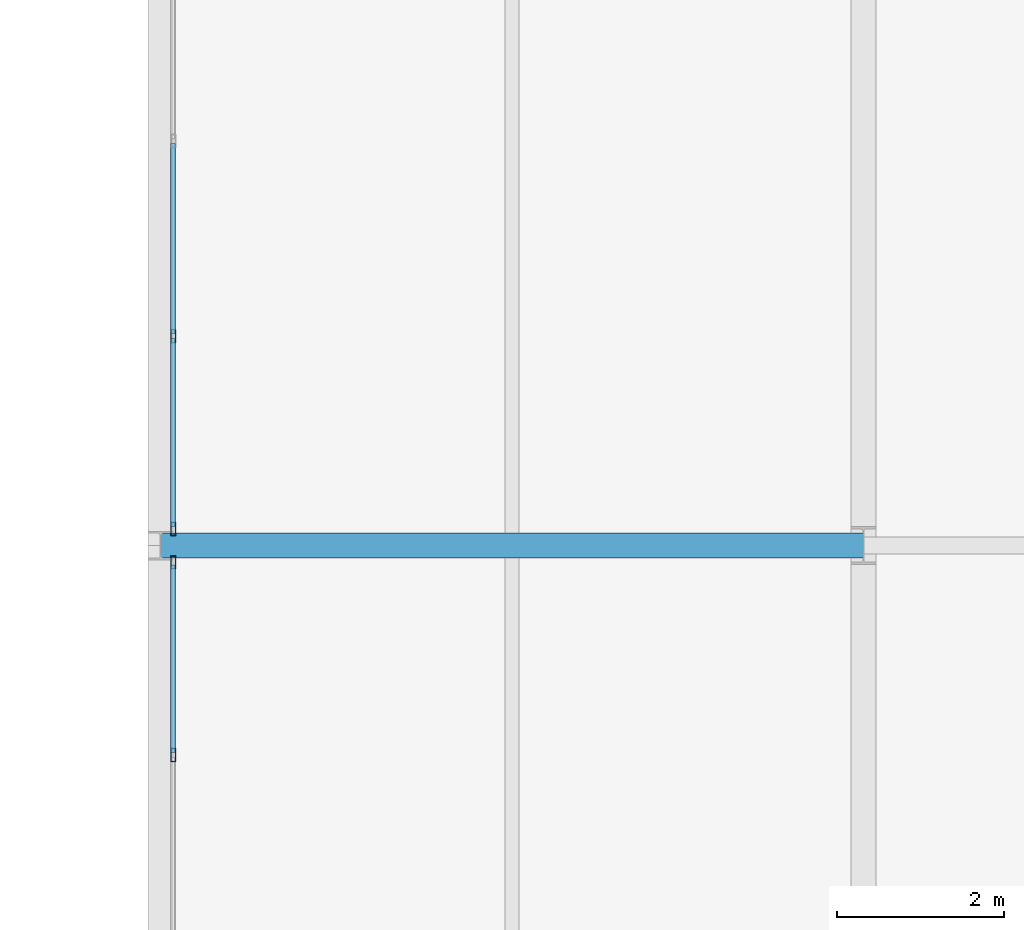
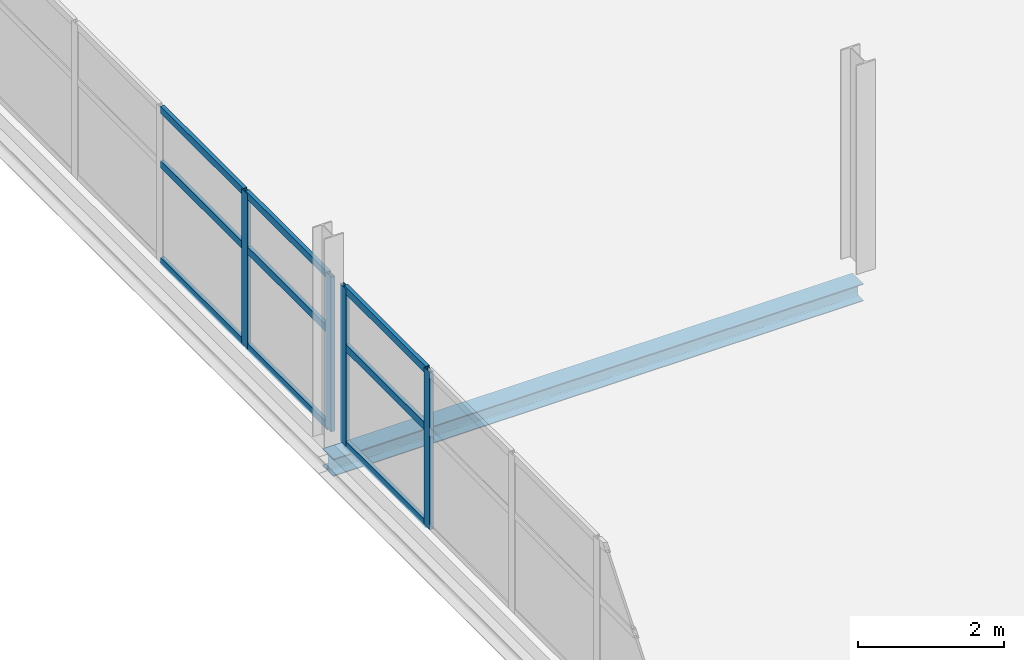
# One storey, part 29 of 103: 13 members, 1 beam, 2 elements without a shape of their own.
"""IFC4 building model written with IfcOpenShell, lengths in metres."""

from ifc_helpers import new_model, si_unit, direction, frame, origin, origin_2d, place, context, subcontext, project, spatial, hollow_rectangle, i_section, extrude, material, material_profile, profile_set, type_object, element, aggregate, save


model = new_model("IFC4")

# Units and contexts
model_context = context("Model", 3, precision=1e-05, world=origin(), true_north=direction((0.0, 1.0)))
body_context = subcontext(model_context, "Body", "Model", "MODEL_VIEW")
ifc_project = project(units=[si_unit("LENGTHUNIT", "METRE"), si_unit("AREAUNIT", "SQUARE_METRE"), si_unit("VOLUMEUNIT", "CUBIC_METRE"), si_unit("PLANEANGLEUNIT", "RADIAN"), si_unit("MASSUNIT", "GRAM", prefix="KILO")], contexts=[model_context])

# Site, building, storey
site_placement = place(None, origin())
site = spatial("IfcSite", under=ifc_project, at=site_placement, CompositionType="ELEMENT")
building_placement = place(site_placement, origin())
building = spatial("IfcBuilding", under=site, at=building_placement, Name="Veltarok Museum of Natural Sciences", CompositionType="ELEMENT")
storey_placement = place(building_placement, frame((0.0, 0.0, 21.89990234375)))
storey = spatial("IfcBuildingStorey", under=building, at=storey_placement, Name="L04", CompositionType="ELEMENT", Elevation=21.89990234375)

# Curtain wall, members
ifc_material_1 = material(Name="Low-iron triple insulated glass", Category="glass")
curtain_wall_type_1 = type_object("IfcCurtainWallType", Name="Curtain Wall System CW-V2W-L04-0-1166x264 (CW-V2W L04 1166x264cm)", PredefinedType="NOTDEFINED", material=ifc_material_1)
curtain_wall_1_placement = place(storey_placement, origin())
curtain_wall_1 = element("IfcCurtainWall", 1, at=curtain_wall_1_placement, inside=storey, type_object=curtain_wall_type_1, Name="Curtain Wall CW-V2W-L04-0-1166x264 CW-0148", PredefinedType="NOTDEFINED")
ifc_material_2 = material(Name="Thermally broken anodised aluminium", Category="aluminium")
ifc_material_profile_1 = material_profile(ifc_material_2, hollow_rectangle(XDim=0.06005859375, YDim=0.1201171875, WallThickness=0.0048828125, at=origin_2d()), Name="CW TRANSOM 60x120x5")
ifc_profile_set_1 = profile_set([ifc_material_profile_1], Name="Thermally broken anodised aluminium")
member_type_1 = type_object("IfcMemberType", Name="Curtain Wall Horizontal Transom 60x120x5", PredefinedType="USERDEFINED", material=ifc_profile_set_1)
member_1_placement = place(storey_placement, frame((40.14990234375, 45.528076171875, 0.028076171875), z_axis=(0.0, 1.0, 0.0), x_axis=(-1.0, 0.0, 0.0)))
member_1 = element("IfcMember", 2, at=member_1_placement, type_object=member_type_1, Name="CW-V2W-L04-0-1166x264 transom 5.1", ObjectType="TRANSOM", PredefinedType="USERDEFINED", context=body_context, shape_type="SweptSolid", body=[
    extrude(hollow_rectangle(XDim=0.06005859375, YDim=0.1201171875, WallThickness=0.0048828125, at=origin_2d()), origin(), (0.0, 0.0, 1.0), 2.241943359375),
])
member_2_placement = place(storey_placement, frame((40.14990234375, 45.528076171875, 1.648193359375), z_axis=(0.0, 1.0, 0.0), x_axis=(-1.0, 0.0, 0.0)))
member_2 = element("IfcMember", 3, at=member_2_placement, type_object=member_type_1, Name="CW-V2W-L04-0-1166x264 transom 5.2", ObjectType="TRANSOM", PredefinedType="USERDEFINED", context=body_context, shape_type="SweptSolid", body=[
    extrude(hollow_rectangle(XDim=0.06005859375, YDim=0.1201171875, WallThickness=0.0048828125, at=origin_2d()), origin(), (0.0, 0.0, 1.0), 2.241943359375),
])
member_3_placement = place(storey_placement, frame((40.14990234375, 45.528076171875, 2.610107421875), z_axis=(0.0, 1.0, 0.0), x_axis=(-1.0, 0.0, 0.0)))
member_3 = element("IfcMember", 4, at=member_3_placement, type_object=member_type_1, Name="CW-V2W-L04-0-1166x264 transom 5.3", ObjectType="TRANSOM", PredefinedType="USERDEFINED", context=body_context, shape_type="SweptSolid", body=[
    extrude(hollow_rectangle(XDim=0.06005859375, YDim=0.1201171875, WallThickness=0.0048828125, at=origin_2d()), origin(), (0.0, 0.0, 1.0), 2.241943359375),
])

curtain_wall_type_2 = type_object("IfcCurtainWallType", Name="Curtain Wall System CW-V2W-L04-1-1166x259 (CW-V2W L04 1166x259cm)", PredefinedType="NOTDEFINED", material=ifc_material_1)
curtain_wall_2_placement = place(storey_placement, origin())
curtain_wall_2 = element("IfcCurtainWall", 5, at=curtain_wall_2_placement, inside=storey, type_object=curtain_wall_type_2, Name="Curtain Wall CW-V2W-L04-1-1166x259 CW-0149", PredefinedType="NOTDEFINED")
member_4_placement = place(storey_placement, frame((40.14990234375, 48.22998046875, 0.028076171875), z_axis=(0.0, 1.0, 0.0), x_axis=(-1.0, 0.0, 0.0)))
member_4 = element("IfcMember", 6, at=member_4_placement, type_object=member_type_1, Name="CW-V2W-L04-1-1166x259 transom 1.1", ObjectType="TRANSOM", PredefinedType="USERDEFINED", context=body_context, shape_type="SweptSolid", body=[
    extrude(hollow_rectangle(XDim=0.06005859375, YDim=0.1201171875, WallThickness=0.0048828125, at=origin_2d()), origin(), (0.0, 0.0, 1.0), 2.241943359375),
])
member_5_placement = place(storey_placement, frame((40.14990234375, 48.22998046875, 1.648193359375), z_axis=(0.0, 1.0, 0.0), x_axis=(-1.0, 0.0, 0.0)))
member_5 = element("IfcMember", 7, at=member_5_placement, type_object=member_type_1, Name="CW-V2W-L04-1-1166x259 transom 1.2", ObjectType="TRANSOM", PredefinedType="USERDEFINED", context=body_context, shape_type="SweptSolid", body=[
    extrude(hollow_rectangle(XDim=0.06005859375, YDim=0.1201171875, WallThickness=0.0048828125, at=origin_2d()), origin(), (0.0, 0.0, 1.0), 2.241943359375),
])
member_6_placement = place(storey_placement, frame((40.14990234375, 48.22998046875, 2.56005859375), z_axis=(0.0, 1.0, 0.0), x_axis=(-1.0, 0.0, 0.0)))
member_6 = element("IfcMember", 8, at=member_6_placement, type_object=member_type_1, Name="CW-V2W-L04-1-1166x259 transom 1.3", ObjectType="TRANSOM", PredefinedType="USERDEFINED", context=body_context, shape_type="SweptSolid", body=[
    extrude(hollow_rectangle(XDim=0.06005859375, YDim=0.1201171875, WallThickness=0.0048828125, at=origin_2d()), origin(), (0.0, 0.0, 1.0), 2.241943359375),
])
member_7_placement = place(storey_placement, frame((40.14990234375, 50.531982421875, 0.028076171875), z_axis=(0.0, 1.0, 0.0), x_axis=(-1.0, 0.0, 0.0)))
member_7 = element("IfcMember", 9, at=member_7_placement, type_object=member_type_1, Name="CW-V2W-L04-1-1166x259 transom 2.1", ObjectType="TRANSOM", PredefinedType="USERDEFINED", context=body_context, shape_type="SweptSolid", body=[
    extrude(hollow_rectangle(XDim=0.06005859375, YDim=0.1201171875, WallThickness=0.0048828125, at=origin_2d()), origin(), (0.0, 0.0, 1.0), 2.27197265625),
])
member_8_placement = place(storey_placement, frame((40.14990234375, 50.531982421875, 1.648193359375), z_axis=(0.0, 1.0, 0.0), x_axis=(-1.0, 0.0, 0.0)))
member_8 = element("IfcMember", 10, at=member_8_placement, type_object=member_type_1, Name="CW-V2W-L04-1-1166x259 transom 2.2", ObjectType="TRANSOM", PredefinedType="USERDEFINED", context=body_context, shape_type="SweptSolid", body=[
    extrude(hollow_rectangle(XDim=0.06005859375, YDim=0.1201171875, WallThickness=0.0048828125, at=origin_2d()), origin(), (0.0, 0.0, 1.0), 2.27197265625),
])
member_9_placement = place(storey_placement, frame((40.14990234375, 50.531982421875, 2.56005859375), z_axis=(0.0, 1.0, 0.0), x_axis=(-1.0, 0.0, 0.0)))
member_9 = element("IfcMember", 11, at=member_9_placement, type_object=member_type_1, Name="CW-V2W-L04-1-1166x259 transom 2.3", ObjectType="TRANSOM", PredefinedType="USERDEFINED", context=body_context, shape_type="SweptSolid", body=[
    extrude(hollow_rectangle(XDim=0.06005859375, YDim=0.1201171875, WallThickness=0.0048828125, at=origin_2d()), origin(), (0.0, 0.0, 1.0), 2.27197265625),
])

# Member
ifc_material_profile_2 = material_profile(ifc_material_2, hollow_rectangle(XDim=0.06005859375, YDim=0.159912109375, WallThickness=0.0048828125, at=origin_2d()), Name="CW MULLION 60x160x5")
ifc_profile_set_2 = profile_set([ifc_material_profile_2], Name="Thermally broken anodised aluminium")
member_type_2 = type_object("IfcMemberType", Name="Curtain Wall Vertical Mullion 60x160x5", PredefinedType="MULLION", material=ifc_profile_set_2)
member_10_placement = place(storey_placement, frame((40.14990234375, 45.498046875, -0.001953125), z_axis=(0.0, 0.0, 1.0), x_axis=(-1.0, 0.0, 0.0)))
member_10 = element("IfcMember", 12, at=member_10_placement, type_object=member_type_2, Name="CW-V2W-L04-0-1166x264 mullion 5", PredefinedType="MULLION", context=body_context, shape_type="SweptSolid", body=[
    extrude(hollow_rectangle(XDim=0.06005859375, YDim=0.159912109375, WallThickness=0.0048828125, at=origin_2d()), origin(), (0.0, 0.0, 1.0), 2.64208984375),
])

member_11_placement = place(storey_placement, frame((40.14990234375, 47.800048828125, -0.001953125), z_axis=(0.0, 0.0, 1.0), x_axis=(-1.0, 0.0, 0.0)))
member_11 = element("IfcMember", 13, at=member_11_placement, type_object=member_type_2, Name="CW-V2W-L04-0-1166x264 mullion 6", PredefinedType="MULLION", context=body_context, shape_type="SweptSolid", body=[
    extrude(hollow_rectangle(XDim=0.06005859375, YDim=0.159912109375, WallThickness=0.0048828125, at=origin_2d()), origin(), (0.0, 0.0, 1.0), 2.64208984375),
])

aggregate(curtain_wall_1, [member_10, member_11, member_1, member_2, member_3])

member_12_placement = place(storey_placement, frame((40.14990234375, 48.199951171875, -0.001953125), z_axis=(0.0, 0.0, 1.0), x_axis=(-1.0, 0.0, 0.0)))
member_12 = element("IfcMember", 14, at=member_12_placement, type_object=member_type_2, Name="CW-V2W-L04-1-1166x259 mullion 1", PredefinedType="MULLION", context=body_context, shape_type="SweptSolid", body=[
    extrude(hollow_rectangle(XDim=0.06005859375, YDim=0.159912109375, WallThickness=0.0048828125, at=origin_2d()), origin(), (0.0, 0.0, 1.0), 2.592041015625),
])

member_13_placement = place(storey_placement, frame((40.14990234375, 50.501953125, -0.001953125), z_axis=(0.0, 0.0, 1.0), x_axis=(-1.0, 0.0, 0.0)))
member_13 = element("IfcMember", 15, at=member_13_placement, type_object=member_type_2, Name="CW-V2W-L04-1-1166x259 mullion 2", PredefinedType="MULLION", context=body_context, shape_type="SweptSolid", body=[
    extrude(hollow_rectangle(XDim=0.06005859375, YDim=0.159912109375, WallThickness=0.0048828125, at=origin_2d()), origin(), (0.0, 0.0, 1.0), 2.592041015625),
])

aggregate(curtain_wall_2, [member_12, member_13, member_4, member_5, member_6, member_7, member_8, member_9])

# Beam
ifc_material_3 = material(Name="Steel S355J2", Category="steel")
ifc_material_profile_3 = material_profile(ifc_material_3, i_section(OverallWidth=0.300048828125, OverallDepth=0.2900390625, WebThickness=0.008544921875, FlangeThickness=0.013916015625, FilletRadius=0.027099609375, at=origin_2d()), Name="HEA 300")
ifc_profile_set_3 = profile_set([ifc_material_profile_3], Name="Steel S355J2")
beam_type = type_object("IfcBeamType", Name="Glazed Hall Edge Spandrel HEA 300", PredefinedType="SPANDREL", material=ifc_profile_set_3)
beam_placement = place(storey_placement, frame((40.0, 48.0, -0.39501953125), z_axis=(1.0, 0.0, 0.0), x_axis=(0.0, 1.0, 0.0)))
element("IfcBeam", 16, at=beam_placement, inside=storey, type_object=beam_type, Name="Beam BM-SP03 L04 5-6/F", PredefinedType="SPANDREL", context=body_context, shape_type="SweptSolid", body=[
    extrude(i_section(OverallWidth=0.300048828125, OverallDepth=0.2900390625, WebThickness=0.008544921875, FlangeThickness=0.013916015625, FilletRadius=0.027099609375, at=origin_2d()), origin(), (0.0, 0.0, 1.0), 8.39990234375),
])

save(model, "model.ifc")
